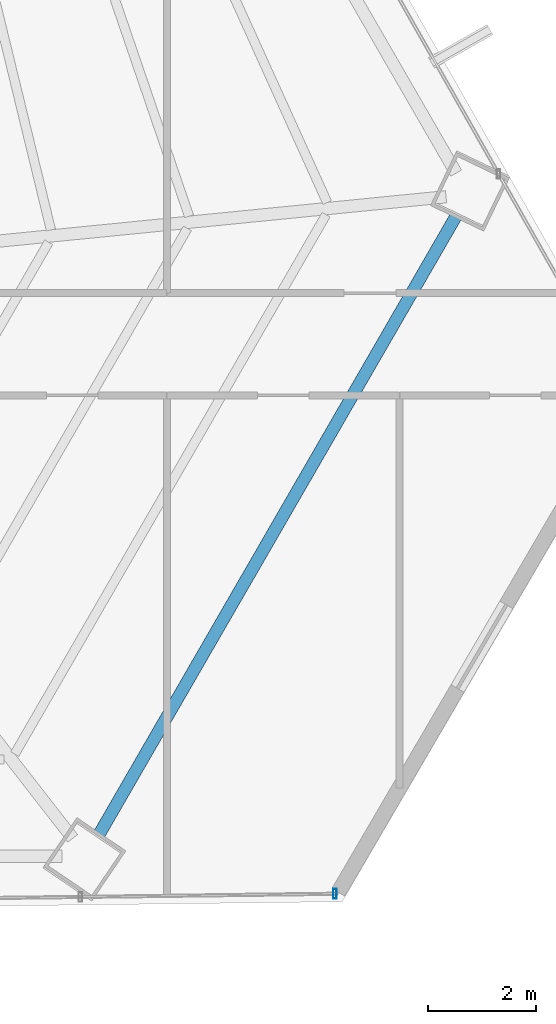
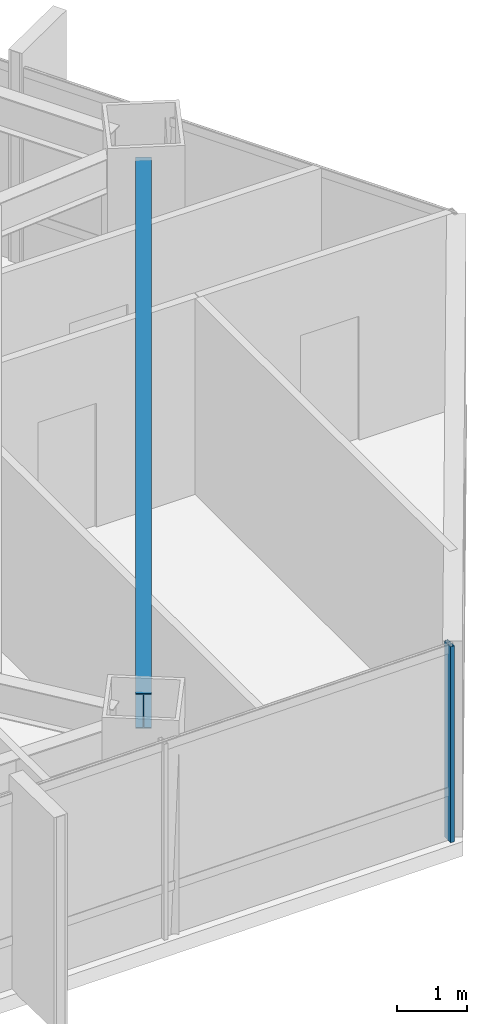
# One storey, part 18 of 37: 1 beam, 1 member, 1 element without a shape of its own.
"""IFC4 building model written with IfcOpenShell, lengths in metres."""

from ifc_helpers import new_model, si_unit, direction, frame, origin, origin_2d, place, context, subcontext, project, spatial, hollow_rectangle, i_section, extrude, source, transform, mapped, material, material_profile, profile_set, type_object, type_shapes, element, aggregate, save


model = new_model("IFC4")

# Units and contexts
model_context = context("Model", 3, precision=1e-05, world=origin(), true_north=direction((0.0, 1.0)))
body_context = subcontext(model_context, "Body", "Model", "MODEL_VIEW")
ifc_project = project(units=[si_unit("LENGTHUNIT", "METRE"), si_unit("AREAUNIT", "SQUARE_METRE"), si_unit("VOLUMEUNIT", "CUBIC_METRE"), si_unit("PLANEANGLEUNIT", "RADIAN"), si_unit("MASSUNIT", "GRAM", prefix="KILO")], contexts=[model_context])

# Site, building, storey
site_placement = place(None, origin())
site = spatial("IfcSite", under=ifc_project, at=site_placement, CompositionType="ELEMENT")
building_placement = place(site_placement, origin())
building = spatial("IfcBuilding", under=site, at=building_placement, Name="Caelisora Broadcast Tower", CompositionType="ELEMENT")
storey_placement = place(building_placement, frame((0.0, 0.0, 116.35009765625)))
storey = spatial("IfcBuildingStorey", under=building, at=storey_placement, Name="L30", CompositionType="ELEMENT", Elevation=116.35009765625)

# Beam
ifc_material_1 = material(Name="Steel Grade 350 (AS/NZS 3679.1)", Category="steel")
ifc_material_profile_1 = material_profile(ifc_material_1, i_section(OverallWidth=0.22900390625, OverallDepth=0.611572265625, WebThickness=0.011962890625, FlangeThickness=0.01953125, at=origin_2d()), Name="Steel Grade 350 (AS/NZS 3679.1)")
ifc_profile_set_1 = profile_set([ifc_material_profile_1], Name="Steel Grade 350 (AS/NZS 3679.1)")
beam_type = type_object("IfcBeamType", Name="PG03", PredefinedType="BEAM", material=ifc_profile_set_1)
shared_shape_1 = source(origin(), body_context, "Body", "SweptSolid", [
    extrude(i_section(OverallWidth=0.22900390625, OverallDepth=0.611572265625, WebThickness=0.011962890625, FlangeThickness=0.01953125, at=origin_2d()), origin(), (0.0, 0.0, 1.0), 13.288818359375),
])
type_shapes(beam_type, [shared_shape_1])
beam_placement = place(storey_placement, frame((54.106689453125, 7.028564453125, 3.093994140625), z_axis=(0.50001189137, 0.86601853819, 0.0), x_axis=(-0.86601853819, 0.50001189137, 0.0)))
element("IfcBeam", 1, at=beam_placement, inside=storey, type_object=beam_type, Name="L30 beam PG03", PredefinedType="BEAM", context=body_context, shape_type="MappedRepresentation", body=[
    mapped(shared_shape_1, transform((0.0, 0.0, 0.0), scale=1.0)),
])

# Curtain wall, member
ifc_material_2 = material(Name="Unitised Aluminium and Low-E Glass Curtain Wall", Category="glass")
curtain_wall_type = type_object("IfcCurtainWallType", Name="CW-Z2", PredefinedType="NOTDEFINED", material=ifc_material_2)
curtain_wall_placement = place(storey_placement, origin())
curtain_wall = element("IfcCurtainWall", 2, at=curtain_wall_placement, inside=storey, type_object=curtain_wall_type, Name="L30 curtain wall CW-Z2", PredefinedType="NOTDEFINED")
ifc_material_3 = material(Name="Aluminium 6063-T6 Anodised Terracotta Bronze", Category="aluminium")
ifc_material_profile_2 = material_profile(ifc_material_3, hollow_rectangle(XDim=0.06494140625, YDim=0.179931640625, WallThickness=0.00341796875, at=origin_2d()), Name="Aluminium 6063-T6 Anodised Terracotta Bronze")
ifc_profile_set_2 = profile_set([ifc_material_profile_2], Name="Aluminium 6063-T6 Anodised Terracotta Bronze")
member_type = type_object("IfcMemberType", Name="CWM-02", PredefinedType="MULLION", material=ifc_profile_set_2)
shared_shape_2 = source(origin(), body_context, "Body", "SweptSolid", [
    extrude(hollow_rectangle(XDim=0.06494140625, YDim=0.179931640625, WallThickness=0.00341796875, at=origin_2d()), origin(), (0.0, 0.0, 1.0), 3.39990234375),
])
type_shapes(member_type, [shared_shape_2])
member_placement = place(storey_placement, frame((58.49609375, 5.930419921875, 0.0), z_axis=(0.0, 0.0, 1.0), x_axis=(1.0, 0.0, 0.0)))
member = element("IfcMember", 3, at=member_placement, type_object=member_type, Name="L30-CW-B05 mullion #0", PredefinedType="MULLION", context=body_context, shape_type="MappedRepresentation", body=[
    mapped(shared_shape_2, transform((0.0, 0.0, 0.0), scale=1.0)),
])
aggregate(curtain_wall, [member])

save(model, "model.ifc")
